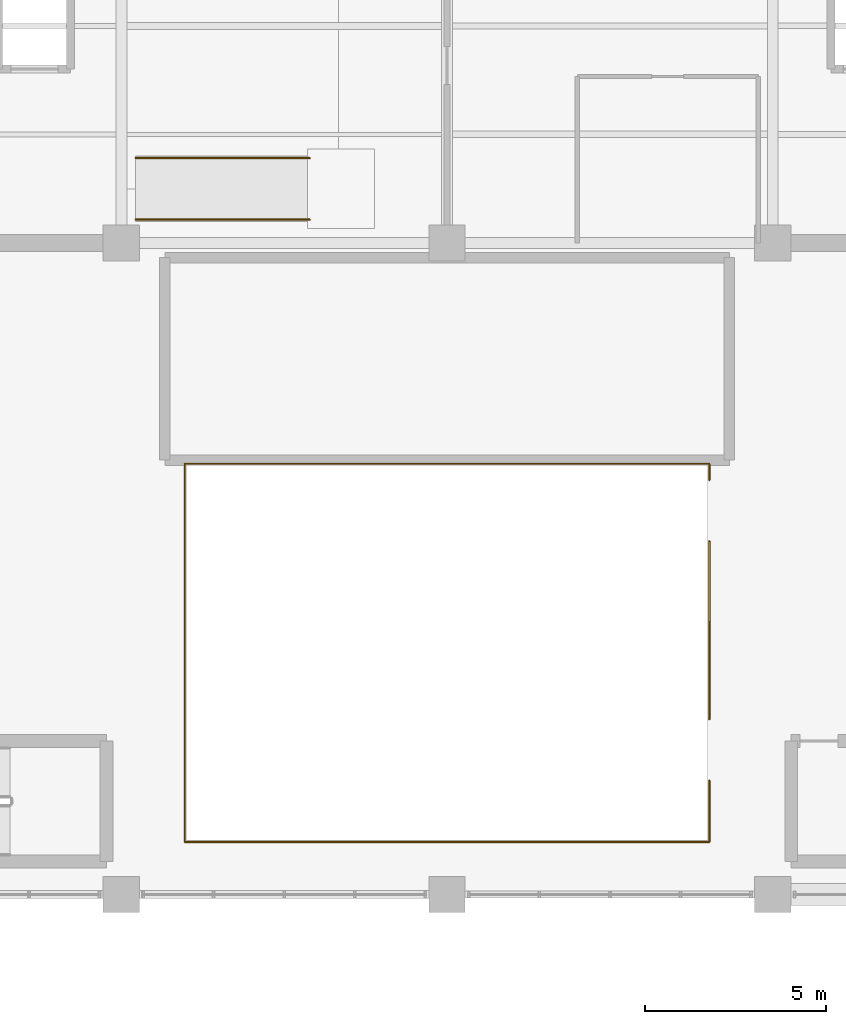
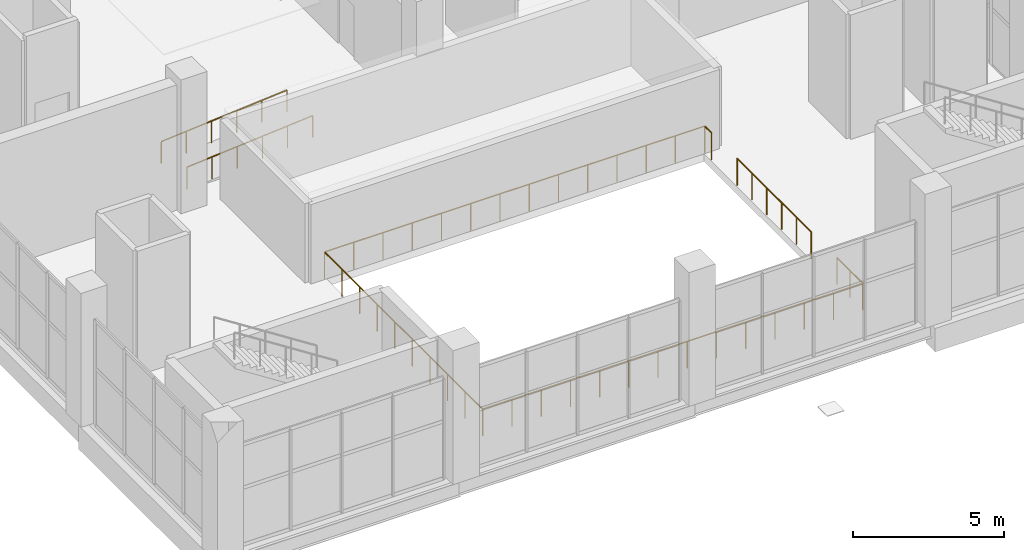
# One storey, part 139 of 147: 4 railings.
"""IFC4 building model written with IfcOpenShell, lengths in metres."""

from ifc_helpers import new_model, si_unit, direction, frame, origin, origin_2d, place, context, subcontext, project, spatial, circle, extrude, material, type_object, element, save


model = new_model("IFC4")

# Units and contexts
model_context = context("Model", 3, precision=1e-05, world=origin(), true_north=direction((0.0, 1.0)))
body_context = subcontext(model_context, "Body", "Model", "MODEL_VIEW")
ifc_project = project(units=[si_unit("LENGTHUNIT", "METRE"), si_unit("AREAUNIT", "SQUARE_METRE"), si_unit("VOLUMEUNIT", "CUBIC_METRE"), si_unit("PLANEANGLEUNIT", "RADIAN"), si_unit("MASSUNIT", "GRAM", prefix="KILO")], contexts=[model_context])

# Site, building, storey
site_placement = place(None, origin())
site = spatial("IfcSite", under=ifc_project, at=site_placement, CompositionType="ELEMENT")
building_placement = place(site_placement, origin())
building = spatial("IfcBuilding", under=site, at=building_placement, Name="Sundgate Opera House", CompositionType="ELEMENT")
storey_placement = place(building_placement, frame((0.0, 0.0, 6.0)))
storey = spatial("IfcBuildingStorey", under=building, at=storey_placement, Name="L01", CompositionType="ELEMENT", Elevation=6.0)

# Railings
ifc_material_1 = material(Name="Patinated bronze forja metalwork", Category="steel")
railing_type_1 = type_object("IfcRailingType", Name="RL-FORJA-BAL-1100", PredefinedType="BALUSTRADE", material=ifc_material_1)
railing_1_placement = place(storey_placement, frame((61.25, 45.14990234375, 0.0)))
element("IfcRailing", 1, at=railing_1_placement, inside=storey, type_object=railing_type_1, Name="L01 Interior Guardrail RL0288", PredefinedType="BALUSTRADE", context=body_context, shape_type="SweptSolid", body=[
    extrude(circle(Radius=0.02392578125, at=origin_2d()), frame((0.0, 0.0, 1.076171875), z_axis=(0.0, -1.0, 0.0), x_axis=(1.0, 0.0, 0.0)), (0.0, 0.0, 1.0), 1.699951171875),
    extrude(circle(Radius=0.02392578125, at=origin_2d()), frame((0.0, -1.699951171875, 1.076171875), z_axis=(-1.0, 0.0, 0.0), x_axis=(0.0, -1.0, 0.0)), (0.0, 0.0, 1.0), 14.5),
    extrude(circle(Radius=0.02392578125, at=origin_2d()), frame((-14.5, -1.699951171875, 1.076171875), z_axis=(0.0, 1.0, 0.0), x_axis=(-1.0, 0.0, 0.0)), (0.0, 0.0, 1.0), 10.449951171875),
    extrude(circle(Radius=0.02392578125, at=origin_2d()), frame((-14.5, 8.75, 1.076171875), z_axis=(1.0, 0.0, 0.0), x_axis=(0.0, 1.0, 0.0)), (0.0, 0.0, 1.0), 14.5),
    extrude(circle(Radius=0.02392578125, at=origin_2d()), frame((0.0, 8.75, 1.076171875), z_axis=(0.0, -1.0, 0.0), x_axis=(1.0, 0.0, 0.0)), (0.0, 0.0, 1.0), 0.449951171875),
    extrude(circle(Radius=0.02099609375, at=origin_2d()), origin(), (0.0, 0.0, 1.0), 1.052001953125),
    extrude(circle(Radius=0.02099609375, at=origin_2d()), frame((0.0, -0.85009765625, 0.0)), (0.0, 0.0, 1.0), 1.052001953125),
    extrude(circle(Radius=0.02099609375, at=origin_2d()), frame((0.0, -1.699951171875, 0.0)), (0.0, 0.0, 1.0), 1.052001953125),
    extrude(circle(Radius=0.02099609375, at=origin_2d()), frame((-1.115478515625, -1.699951171875, 0.0)), (0.0, 0.0, 1.0), 1.052001953125),
    extrude(circle(Radius=0.02099609375, at=origin_2d()), frame((-2.230712890625, -1.699951171875, 0.0)), (0.0, 0.0, 1.0), 1.052001953125),
    extrude(circle(Radius=0.02099609375, at=origin_2d()), frame((-3.34619140625, -1.699951171875, 0.0)), (0.0, 0.0, 1.0), 1.052001953125),
    extrude(circle(Radius=0.02099609375, at=origin_2d()), frame((-4.46142578125, -1.699951171875, 0.0)), (0.0, 0.0, 1.0), 1.052001953125),
    extrude(circle(Radius=0.02099609375, at=origin_2d()), frame((-5.576904296875, -1.699951171875, 0.0)), (0.0, 0.0, 1.0), 1.052001953125),
    extrude(circle(Radius=0.02099609375, at=origin_2d()), frame((-6.6923828125, -1.699951171875, 0.0)), (0.0, 0.0, 1.0), 1.052001953125),
    extrude(circle(Radius=0.02099609375, at=origin_2d()), frame((-7.8076171875, -1.699951171875, 0.0)), (0.0, 0.0, 1.0), 1.052001953125),
    extrude(circle(Radius=0.02099609375, at=origin_2d()), frame((-8.923095703125, -1.699951171875, 0.0)), (0.0, 0.0, 1.0), 1.052001953125),
    extrude(circle(Radius=0.02099609375, at=origin_2d()), frame((-10.03857421875, -1.699951171875, 0.0)), (0.0, 0.0, 1.0), 1.052001953125),
    extrude(circle(Radius=0.02099609375, at=origin_2d()), frame((-11.15380859375, -1.699951171875, 0.0)), (0.0, 0.0, 1.0), 1.052001953125),
    extrude(circle(Radius=0.02099609375, at=origin_2d()), frame((-12.269287109375, -1.699951171875, 0.0)), (0.0, 0.0, 1.0), 1.052001953125),
    extrude(circle(Radius=0.02099609375, at=origin_2d()), frame((-13.384521484375, -1.699951171875, 0.0)), (0.0, 0.0, 1.0), 1.052001953125),
    extrude(circle(Radius=0.02099609375, at=origin_2d()), frame((-14.5, -1.699951171875, 0.0)), (0.0, 0.0, 1.0), 1.052001953125),
    extrude(circle(Radius=0.02099609375, at=origin_2d()), frame((-14.5, -0.538818359375, 0.0)), (0.0, 0.0, 1.0), 1.052001953125),
    extrude(circle(Radius=0.02099609375, at=origin_2d()), frame((-14.5, 0.622314453125, 0.0)), (0.0, 0.0, 1.0), 1.052001953125),
    extrude(circle(Radius=0.02099609375, at=origin_2d()), frame((-14.5, 1.783447265625, 0.0)), (0.0, 0.0, 1.0), 1.052001953125),
    extrude(circle(Radius=0.02099609375, at=origin_2d()), frame((-14.5, 2.944580078125, 0.0)), (0.0, 0.0, 1.0), 1.052001953125),
    extrude(circle(Radius=0.02099609375, at=origin_2d()), frame((-14.5, 4.10546875, 0.0)), (0.0, 0.0, 1.0), 1.052001953125),
    extrude(circle(Radius=0.02099609375, at=origin_2d()), frame((-14.5, 5.2666015625, 0.0)), (0.0, 0.0, 1.0), 1.052001953125),
    extrude(circle(Radius=0.02099609375, at=origin_2d()), frame((-14.5, 6.427734375, 0.0)), (0.0, 0.0, 1.0), 1.052001953125),
    extrude(circle(Radius=0.02099609375, at=origin_2d()), frame((-14.5, 7.5888671875, 0.0)), (0.0, 0.0, 1.0), 1.052001953125),
    extrude(circle(Radius=0.02099609375, at=origin_2d()), frame((-14.5, 8.75, 0.0)), (0.0, 0.0, 1.0), 1.052001953125),
    extrude(circle(Radius=0.02099609375, at=origin_2d()), frame((-13.384521484375, 8.75, 0.0)), (0.0, 0.0, 1.0), 1.052001953125),
    extrude(circle(Radius=0.02099609375, at=origin_2d()), frame((-12.269287109375, 8.75, 0.0)), (0.0, 0.0, 1.0), 1.052001953125),
    extrude(circle(Radius=0.02099609375, at=origin_2d()), frame((-11.15380859375, 8.75, 0.0)), (0.0, 0.0, 1.0), 1.052001953125),
    extrude(circle(Radius=0.02099609375, at=origin_2d()), frame((-10.03857421875, 8.75, 0.0)), (0.0, 0.0, 1.0), 1.052001953125),
    extrude(circle(Radius=0.02099609375, at=origin_2d()), frame((-8.923095703125, 8.75, 0.0)), (0.0, 0.0, 1.0), 1.052001953125),
    extrude(circle(Radius=0.02099609375, at=origin_2d()), frame((-7.8076171875, 8.75, 0.0)), (0.0, 0.0, 1.0), 1.052001953125),
    extrude(circle(Radius=0.02099609375, at=origin_2d()), frame((-6.6923828125, 8.75, 0.0)), (0.0, 0.0, 1.0), 1.052001953125),
    extrude(circle(Radius=0.02099609375, at=origin_2d()), frame((-5.576904296875, 8.75, 0.0)), (0.0, 0.0, 1.0), 1.052001953125),
    extrude(circle(Radius=0.02099609375, at=origin_2d()), frame((-4.46142578125, 8.75, 0.0)), (0.0, 0.0, 1.0), 1.052001953125),
    extrude(circle(Radius=0.02099609375, at=origin_2d()), frame((-3.34619140625, 8.75, 0.0)), (0.0, 0.0, 1.0), 1.052001953125),
    extrude(circle(Radius=0.02099609375, at=origin_2d()), frame((-2.230712890625, 8.75, 0.0)), (0.0, 0.0, 1.0), 1.052001953125),
    extrude(circle(Radius=0.02099609375, at=origin_2d()), frame((-1.115478515625, 8.75, 0.0)), (0.0, 0.0, 1.0), 1.052001953125),
    extrude(circle(Radius=0.02099609375, at=origin_2d()), frame((0.0, 8.75, 0.0)), (0.0, 0.0, 1.0), 1.052001953125),
    extrude(circle(Radius=0.02099609375, at=origin_2d()), frame((0.0, 8.300048828125, 0.0)), (0.0, 0.0, 1.0), 1.052001953125),
])
railing_2_placement = place(storey_placement, frame((61.25, 46.85009765625, 0.0)))
element("IfcRailing", 2, at=railing_2_placement, inside=storey, type_object=railing_type_1, Name="L01 Interior Guardrail RL0289", PredefinedType="BALUSTRADE", context=body_context, shape_type="SweptSolid", body=[
    extrude(circle(Radius=0.02392578125, at=origin_2d()), frame((0.0, 0.0, 1.076171875), z_axis=(0.0, 1.0, 0.0), x_axis=(-1.0, 0.0, 0.0)), (0.0, 0.0, 1.0), 4.89990234375),
    extrude(circle(Radius=0.02099609375, at=origin_2d()), origin(), (0.0, 0.0, 1.0), 1.052001953125),
    extrude(circle(Radius=0.02099609375, at=origin_2d()), frame((0.0, 0.97998046875, 0.0)), (0.0, 0.0, 1.0), 1.052001953125),
    extrude(circle(Radius=0.02099609375, at=origin_2d()), frame((0.0, 1.9599609375, 0.0)), (0.0, 0.0, 1.0), 1.052001953125),
    extrude(circle(Radius=0.02099609375, at=origin_2d()), frame((0.0, 2.93994140625, 0.0)), (0.0, 0.0, 1.0), 1.052001953125),
    extrude(circle(Radius=0.02099609375, at=origin_2d()), frame((0.0, 3.919921875, 0.0)), (0.0, 0.0, 1.0), 1.052001953125),
    extrude(circle(Radius=0.02099609375, at=origin_2d()), frame((0.0, 4.89990234375, 0.0)), (0.0, 0.0, 1.0), 1.052001953125),
])
ifc_material_2 = material(Name="Brushed stainless steel handrail", Category="steel")
railing_type_2 = type_object("IfcRailingType", Name="RL-STAIR-HAND-900", PredefinedType="HANDRAIL", material=ifc_material_2)
for number, where, name in (
    (3, (45.39990234375, 60.64990234375, 0.0), "RP05 Handrail RL0329"),
    (4, (45.39990234375, 62.35009765625, 0.0), "RP05 Handrail RL0330"),
):
    element("IfcRailing", number, at=place(storey_placement, frame(where)), inside=storey, type_object=railing_type_2, Name=name, PredefinedType="HANDRAIL", context=body_context, shape_type="SweptSolid", body=[
        extrude(circle(Radius=0.02392578125, at=origin_2d()), frame((0.0, 0.0, 0.8759765625), z_axis=(0.996547505835, 0.0, 0.083024506106), x_axis=(0.0, 1.0, 0.0)), (0.0, 0.0, 1.0), 4.816650390625),
        extrude(circle(Radius=0.02099609375, at=origin_2d()), origin(), (0.0, 0.0, 1.0), 0.851806640625),
        extrude(circle(Radius=0.02099609375, at=origin_2d()), frame((0.9599609375, 0.0, 0.080078125)), (0.0, 0.0, 1.0), 0.851806640625),
        extrude(circle(Radius=0.02099609375, at=origin_2d()), frame((1.919921875, 0.0, 0.159912109375)), (0.0, 0.0, 1.0), 0.851806640625),
        extrude(circle(Radius=0.02099609375, at=origin_2d()), frame((2.880126953125, 0.0, 0.239990234375)), (0.0, 0.0, 1.0), 0.851806640625),
        extrude(circle(Radius=0.02099609375, at=origin_2d()), frame((3.840087890625, 0.0, 0.31982421875)), (0.0, 0.0, 1.0), 0.851806640625),
        extrude(circle(Radius=0.02099609375, at=origin_2d()), frame((4.800048828125, 0.0, 0.39990234375)), (0.0, 0.0, 1.0), 0.851806640625),
    ])

save(model, "model.ifc")
